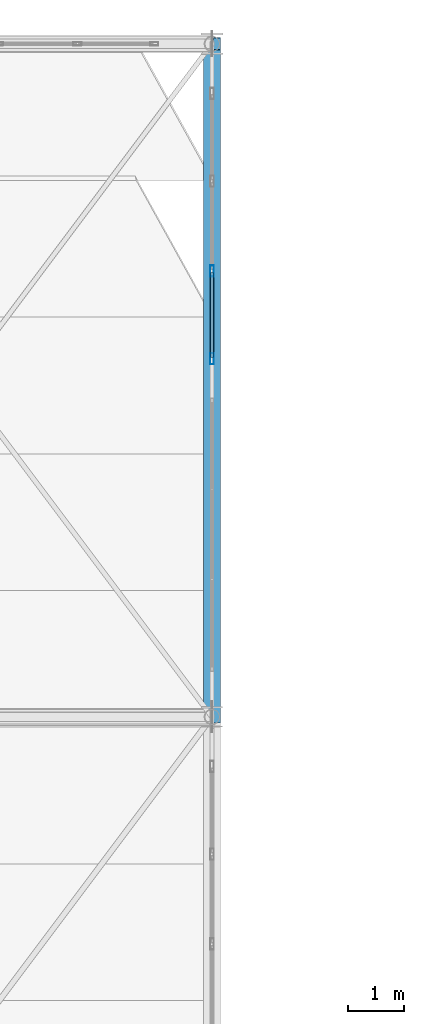
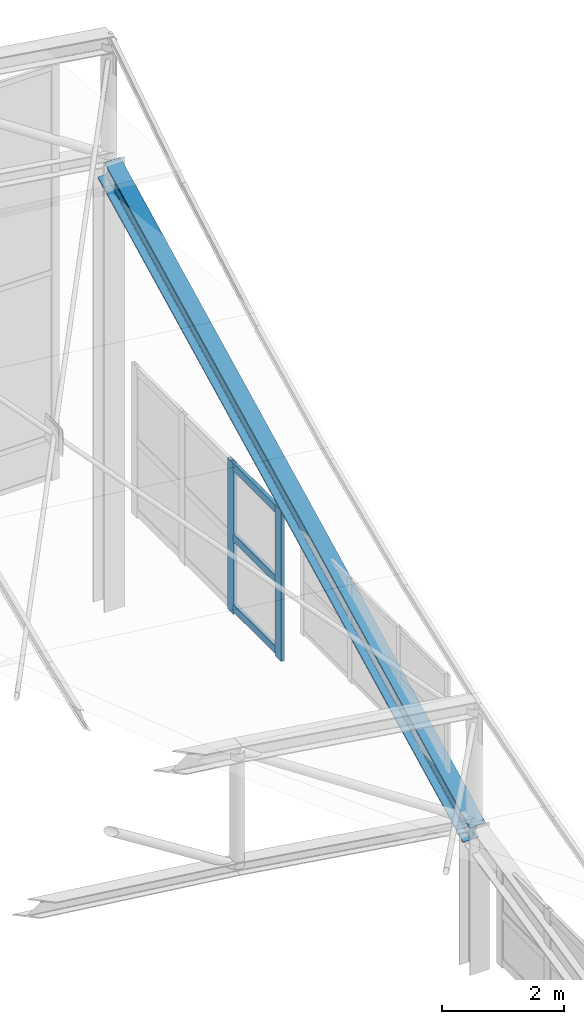
# One storey, part 134 of 262: 5 members, 1 beam, 1 element without a shape of its own.
"""IFC4 building model written with IfcOpenShell, lengths in metres."""

from ifc_helpers import new_model, si_unit, derived_unit, direction, frame, origin, origin_2d, place, context, subcontext, project, spatial, hollow_rectangle, i_section, extrude, material, layer, layer_set, material_profile, profile_set, type_object, element, aggregate, save


model = new_model("IFC4")

# Units and contexts
model_context = context("Model", 3, precision=1e-05, world=origin(), true_north=direction((0.0, 1.0)))
body_context = subcontext(model_context, "Body", "Model", "MODEL_VIEW")
ifc_project = project(units=[si_unit("LENGTHUNIT", "METRE"), si_unit("AREAUNIT", "SQUARE_METRE"), si_unit("VOLUMEUNIT", "CUBIC_METRE"), si_unit("PLANEANGLEUNIT", "RADIAN"), si_unit("MASSUNIT", "GRAM", prefix="KILO"), derived_unit("THERMALTRANSMITTANCEUNIT", [(si_unit("POWERUNIT", "WATT"), 1), (si_unit("LENGTHUNIT", "METRE"), -2), (si_unit("THERMODYNAMICTEMPERATUREUNIT", "KELVIN"), -1)])], contexts=[model_context])

# Site, building, storey
site_placement = place(None, origin())
site = spatial("IfcSite", under=ifc_project, at=site_placement, CompositionType="ELEMENT")
building_placement = place(site_placement, origin())
building = spatial("IfcBuilding", under=site, at=building_placement, Name="Almenara Railside Exhibition Hall", CompositionType="ELEMENT")
storey_placement = place(building_placement, frame((0.0, 0.0, 21.699951171875)))
storey = spatial("IfcBuildingStorey", under=building, at=storey_placement, Name="RF", CompositionType="ELEMENT", Elevation=21.699951171875)

# Curtain wall, members
ifc_material_1 = material(Name="Bronze-anodised aluminium and low-E double glazing", Category="aluminium")
ifc_layer = layer(ifc_material_1, 0.179931640625, Name="Bronze-anodised aluminium and low-E double glazing")
ifc_layer_set = layer_set([ifc_layer], Name="Bronze-anodised aluminium and low-E double glazing")
curtain_wall_type = type_object("IfcCurtainWallType", Name="West Hall Clerestory Curtain Wall 4200x2400", PredefinedType="NOTDEFINED", material=ifc_layer_set)
curtain_wall_placement = place(storey_placement, origin())
curtain_wall = element("IfcCurtainWall", 1, at=curtain_wall_placement, inside=storey, type_object=curtain_wall_type, Name="Curtain wall CW-CL1-195", PredefinedType="NOTDEFINED")
ifc_material_2 = material(Name="Bronze-anodised aluminium", Category="aluminium")
ifc_material_profile_1 = material_profile(ifc_material_2, hollow_rectangle(XDim=0.070068359375, YDim=0.199951171875, WallThickness=0.00439453125, InnerFilletRadius=0.00439453125, OuterFilletRadius=0.009033203125, at=origin_2d()), Name="ALU-MUL 70x200x4.5")
ifc_profile_set_1 = profile_set([ifc_material_profile_1], Name="Bronze-anodised aluminium")
member_type_1 = type_object("IfcMemberType", Name="Curtain Wall Mullion 70x200x4.5", PredefinedType="MULLION", material=ifc_profile_set_1)
member_1_placement = place(storey_placement, frame((66.0, 126.385009765625, -0.0849609375), z_axis=(0.0, 0.0, 1.0), x_axis=(-1.0, 0.0, 0.0)))
member_1 = element("IfcMember", 2, at=member_1_placement, type_object=member_type_1, Name="CW-CL1-195 mullion 1", PredefinedType="MULLION", context=body_context, shape_type="SweptSolid", body=[
    extrude(hollow_rectangle(XDim=0.070068359375, YDim=0.199951171875, WallThickness=0.00439453125, InnerFilletRadius=0.00439453125, OuterFilletRadius=0.009033203125, at=origin_2d()), origin(), (0.0, 0.0, 1.0), 3.02490234375),
])
member_2_placement = place(storey_placement, frame((66.0, 127.949951171875, -0.0849609375), z_axis=(0.0, 0.0, 1.0), x_axis=(-1.0, 0.0, 0.0)))
member_2 = element("IfcMember", 3, at=member_2_placement, type_object=member_type_1, Name="CW-CL1-195 mullion 2", PredefinedType="MULLION", context=body_context, shape_type="SweptSolid", body=[
    extrude(hollow_rectangle(XDim=0.070068359375, YDim=0.199951171875, WallThickness=0.00439453125, InnerFilletRadius=0.00439453125, OuterFilletRadius=0.009033203125, at=origin_2d()), origin(), (0.0, 0.0, 1.0), 3.02490234375),
])
ifc_material_profile_2 = material_profile(ifc_material_2, hollow_rectangle(XDim=0.070068359375, YDim=0.159912109375, WallThickness=0.00390625, InnerFilletRadius=0.00390625, OuterFilletRadius=0.008056640625, at=origin_2d()), Name="ALU-TRN 70x160x4")
ifc_profile_set_2 = profile_set([ifc_material_profile_2], Name="Bronze-anodised aluminium")
member_type_2 = type_object("IfcMemberType", Name="Curtain Wall Transom 70x160x4", PredefinedType="USERDEFINED", material=ifc_profile_set_2)
member_3_placement = place(storey_placement, frame((66.0, 126.412109375, 0.030029296875), z_axis=(0.0, 1.0, 0.0), x_axis=(-1.0, 0.0, 0.0)))
member_3 = element("IfcMember", 4, at=member_3_placement, type_object=member_type_2, Name="CW-CL1-195 transom 1.1", ObjectType="TRANSOM", PredefinedType="USERDEFINED", context=body_context, shape_type="SweptSolid", body=[
    extrude(hollow_rectangle(XDim=0.070068359375, YDim=0.159912109375, WallThickness=0.00390625, InnerFilletRadius=0.00390625, OuterFilletRadius=0.008056640625, at=origin_2d()), origin(), (0.0, 0.0, 1.0), 1.510986328125),
])
member_4_placement = place(storey_placement, frame((66.0, 126.412109375, 1.445068359375), z_axis=(0.0, 1.0, 0.0), x_axis=(-1.0, 0.0, 0.0)))
member_4 = element("IfcMember", 5, at=member_4_placement, type_object=member_type_2, Name="CW-CL1-195 transom 1.2", ObjectType="TRANSOM", PredefinedType="USERDEFINED", context=body_context, shape_type="SweptSolid", body=[
    extrude(hollow_rectangle(XDim=0.070068359375, YDim=0.159912109375, WallThickness=0.00390625, InnerFilletRadius=0.00390625, OuterFilletRadius=0.008056640625, at=origin_2d()), origin(), (0.0, 0.0, 1.0), 1.510986328125),
])
member_5_placement = place(storey_placement, frame((66.0, 126.412109375, 2.860107421875), z_axis=(0.0, 1.0, 0.0), x_axis=(-1.0, 0.0, 0.0)))
member_5 = element("IfcMember", 6, at=member_5_placement, type_object=member_type_2, Name="CW-CL1-195 transom 1.3", ObjectType="TRANSOM", PredefinedType="USERDEFINED", context=body_context, shape_type="SweptSolid", body=[
    extrude(hollow_rectangle(XDim=0.070068359375, YDim=0.159912109375, WallThickness=0.00390625, InnerFilletRadius=0.00390625, OuterFilletRadius=0.008056640625, at=origin_2d()), origin(), (0.0, 0.0, 1.0), 1.510986328125),
])
aggregate(curtain_wall, [member_1, member_2, member_3, member_4, member_5])

# Beam
ifc_material_3 = material(Name="Structural steel S355JR", Category="steel")
ifc_material_profile_3 = material_profile(ifc_material_3, i_section(OverallWidth=0.300048828125, OverallDepth=0.5, WebThickness=0.014404296875, FlangeThickness=0.028076171875, FilletRadius=0.027099609375, at=origin_2d()), Name="HEB 500")
ifc_profile_set_3 = profile_set([ifc_material_profile_3], Name="Structural steel S355JR")
beam_type = type_object("IfcBeamType", Name="Steel Heavy Eaves Girder HEB 500 S355JR", PredefinedType="USERDEFINED", material=ifc_profile_set_3)
beam_placement = place(storey_placement, frame((66.0, 120.0, 0.291259765625), z_axis=(0.0, 0.892669577236, 0.450711688197), x_axis=(-1.0, 0.0, 0.0)))
element("IfcBeam", 7, at=beam_placement, inside=storey, type_object=beam_type, Name="Beam 0974", ObjectType="GIRDER", PredefinedType="USERDEFINED", context=body_context, shape_type="SweptSolid", body=[
    extrude(i_section(OverallWidth=0.300048828125, OverallDepth=0.5, WebThickness=0.014404296875, FlangeThickness=0.028076171875, FilletRadius=0.027099609375, at=origin_2d()), origin(), (0.0, 0.0, 1.0), 13.44287109375),
])

save(model, "model.ifc")
